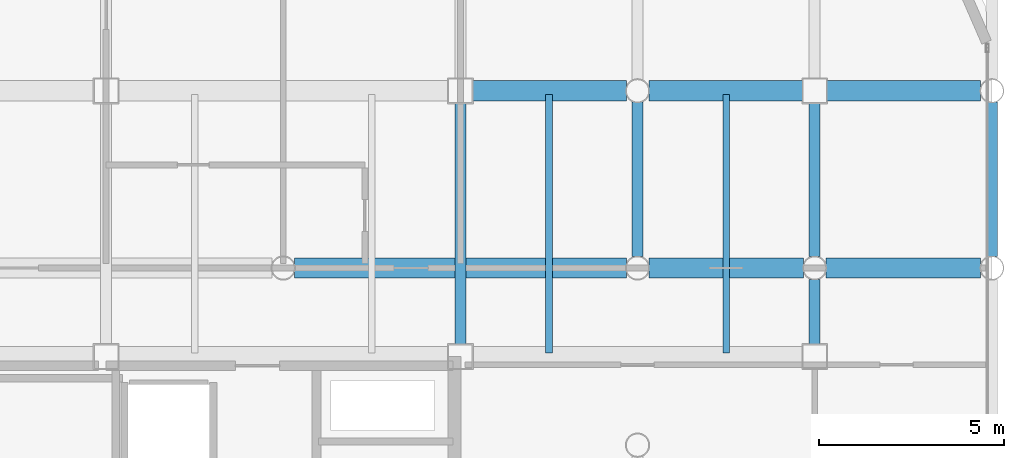
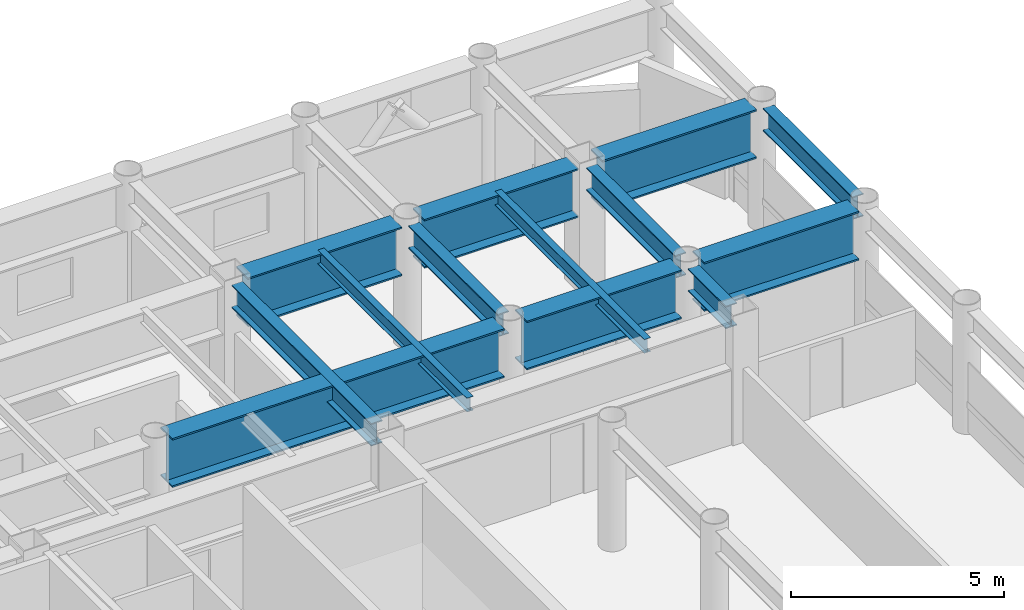
# One storey, part 14 of 22: 13 beams.
"""IFC4 building model written with IfcOpenShell, lengths in metres."""

import ifcopenshell
import ifcopenshell.guid

model = None  # the IFC model being written
_history = None  # IfcOwnerHistory: only IFC2X3 demands one
_inside = {}  # id of a spatial element -> (the spatial element, [elements in it])
_under = {}  # id of a project, library or spatial element -> (it, [spatial elements below it])
_declared = {}  # id of a project -> (the project, [libraries it declares])
_typed = {}  # id of a type object -> (the type object, [elements of that type])
_made_of = {}  # id of a material, layer set ... -> (it, [elements and type objects made of it])


def new_model(schema):
    """Start an empty IFC model of exactly this schema.

    Asked for "IFC4X3", IfcOpenShell would pick the latest addendum, in which some entities
    have other attributes; the version numbers below select the first issue.
    IFC2X3 requires an IfcOwnerHistory on every rooted entity: one is made here for all.
    """
    global model, _history
    if schema == "IFC4X3":
        model = ifcopenshell.file(schema_version=(4, 3, 0, 0))
    else:
        model = ifcopenshell.file(schema=schema)
    _inside.clear()
    _under.clear()
    _declared.clear()
    _typed.clear()
    _made_of.clear()
    _history = None
    if model.schema == "IFC2X3":
        org = make("IfcOrganization", Name="unknown")
        user = make(
            "IfcPersonAndOrganization",
            ThePerson=make("IfcPerson", FamilyName="unknown"),
            TheOrganization=org,
        )
        app = make(
            "IfcApplication",
            ApplicationDeveloper=org,
            Version="unknown",
            ApplicationFullName="unknown",
            ApplicationIdentifier="unknown",
        )
        _history = make(
            "IfcOwnerHistory",
            OwningUser=user,
            OwningApplication=app,
            ChangeAction="ADDED",
            CreationDate=0,
        )
    return model


def make(cls, **values):
    """One entity of the class cls with the attributes given. An attribute that is None is left unset."""
    return model.create_entity(
        cls, **{name: value for name, value in values.items() if value is not None}
    )


def rooted(cls, **values):
    """An entity with a GlobalId (a new one), such as an element, a storey or a relation."""
    return make(cls, GlobalId=ifcopenshell.guid.new(), OwnerHistory=_history, **values)


def si_unit(unit_type, name, prefix=None):
    """IfcSIUnit, for example si_unit("LENGTHUNIT", "METRE", prefix="MILLI")."""
    return make("IfcSIUnit", UnitType=unit_type, Prefix=prefix, Name=name)


def assignment(units):
    """IfcUnitAssignment: the units of a project."""
    return None if units is None else make("IfcUnitAssignment", Units=units)


def point(xyz):
    """IfcCartesianPoint."""
    return None if xyz is None else make("IfcCartesianPoint", Coordinates=xyz)


def direction(xyz):
    """IfcDirection."""
    return None if xyz is None else make("IfcDirection", DirectionRatios=xyz)


def frame(location, z_axis=None, x_axis=None):
    """IfcAxis2Placement3D, a coordinate frame: its origin and axes. An axis left out is left unset."""
    return make(
        "IfcAxis2Placement3D",
        Location=point(location),
        Axis=direction(z_axis),
        RefDirection=direction(x_axis),
    )


def frame_2d(location, x_axis=None):
    """IfcAxis2Placement2D, a coordinate frame in the plane: its origin and x axis."""
    return make(
        "IfcAxis2Placement2D", Location=point(location), RefDirection=direction(x_axis)
    )


def origin():
    """The frame at (0, 0, 0) with its axes left unset."""
    return frame((0.0, 0.0, 0.0))


def origin_2d():
    """The frame at (0, 0) in the plane with its x axis left unset."""
    return frame_2d((0.0, 0.0))


def place(relative_to, where):
    """IfcLocalPlacement: puts the frame where relative to a parent placement (None: the world)."""
    return make(
        "IfcLocalPlacement", PlacementRelTo=relative_to, RelativePlacement=where
    )


def context(
    kind, dimensions, precision=None, world=None, true_north=None, identifier=None
):
    """IfcGeometricRepresentationContext, for example the 3D "Model" context."""
    return make(
        "IfcGeometricRepresentationContext",
        ContextIdentifier=identifier,
        ContextType=kind,
        CoordinateSpaceDimension=dimensions,
        Precision=precision,
        WorldCoordinateSystem=world,
        TrueNorth=true_north,
    )


def subcontext(parent, identifier, kind, view, scale=None):
    """IfcGeometricRepresentationSubContext, for example "Body" below "Model"."""
    return make(
        "IfcGeometricRepresentationSubContext",
        ContextIdentifier=identifier,
        ContextType=kind,
        ParentContext=parent,
        TargetScale=scale,
        TargetView=view,
    )


def project(units=None, contexts=None):
    """IfcProject with its units and contexts."""
    return rooted(
        "IfcProject",
        Name="project",
        RepresentationContexts=contexts,
        UnitsInContext=assignment(units),
    )


def spatial(cls, under=None, at=None, **own):
    """A site, building, storey or space (cls), placed at a placement, below another one or the project."""
    s = rooted(cls, ObjectPlacement=at, **own)
    if under is not None:
        _under.setdefault(under.id(), (under, []))[1].append(s)
    return s


def profile(cls, at=None, kind="AREA", **sizes):
    """A parametric profile (cls). Its sizes go by their IFC names, for example OverallWidth=200.0."""
    return make(cls, ProfileType=kind, Position=at, **sizes)


def i_section(**sizes):
    """IfcIShapeProfileDef."""
    return profile("IfcIShapeProfileDef", **sizes)


def extrude(swept, where, along, depth):
    """IfcExtrudedAreaSolid: the profile swept, set in the frame where, extruded along a direction by depth."""
    return make(
        "IfcExtrudedAreaSolid",
        SweptArea=swept,
        Position=where,
        ExtrudedDirection=direction(along),
        Depth=depth,
    )


def shape(context_of_items, identifier, shape_type, items):
    """IfcShapeRepresentation: the items that make up one representation, for example the "Body"."""
    return make(
        "IfcShapeRepresentation",
        ContextOfItems=context_of_items,
        RepresentationIdentifier=identifier,
        RepresentationType=shape_type,
        Items=items,
    )


def material(Name=None, Category=None):
    """IfcMaterial."""
    return make("IfcMaterial", Name=Name, Category=Category)


def material_profile(
    of_material, cross_section, Name=None, Category=None, Priority=None
):
    """IfcMaterialProfile: a cross section and its material."""
    return make(
        "IfcMaterialProfile",
        Name=Name,
        Material=of_material,
        Profile=cross_section,
        Priority=Priority,
        Category=Category,
    )


def profile_set(profiles, Name=None, composite=None):
    """IfcMaterialProfileSet."""
    return make(
        "IfcMaterialProfileSet",
        Name=Name,
        MaterialProfiles=profiles,
        CompositeProfile=composite,
    )


def made_of(thing, what):
    """Note that an element or type object is made of a material, layer set ...; save() writes the relation."""
    if what is not None:
        _made_of.setdefault(what.id(), (what, []))[1].append(thing)
    return thing


def type_object(cls, material=None, **own):
    """A type object (cls), such as IfcWallType, which elements share."""
    return made_of(rooted(cls, **own), material)


def element(
    cls,
    number,
    at=None,
    inside=None,
    cuts=None,
    type_object=None,
    material=None,
    context=None,
    identifier="Body",
    shape_type=None,
    held_by="IfcProductDefinitionShape",
    body=None,
    shapes=None,
    **own,
):
    """One element of the class cls, such as IfcWall. Its Tag is "e" and its number.

    at: its placement. inside: the storey or other place that contains it. cuts: it is an
    opening in that element (IfcRelVoidsElement). A single representation is given by context,
    identifier, shape_type and body (its items); several are given by shapes. held_by: the class
    of the entity that holds the representations. save() writes the other relations.
    """
    e = rooted(cls, Tag="e%d" % number, ObjectPlacement=at, **own)
    if body is not None:
        shapes = [shape(context, identifier, shape_type, body)]
    if shapes is not None:
        e.Representation = make(held_by, Representations=shapes)
    if inside is not None:
        _inside.setdefault(inside.id(), (inside, []))[1].append(e)
    if cuts is not None:
        rooted(
            "IfcRelVoidsElement", RelatingBuildingElement=cuts, RelatedOpeningElement=e
        )
    if type_object is not None:
        _typed.setdefault(type_object.id(), (type_object, []))[1].append(e)
    return made_of(e, material)


def aggregate(whole, parts):
    """IfcRelAggregates: a whole, such as a stair, and the parts it consists of."""
    return rooted("IfcRelAggregates", RelatingObject=whole, RelatedObjects=parts)


def save(model, path):
    """Write the relations noted so far, then the file.

    IfcRelAggregates (storeys below a building ...), IfcRelContainedInSpatialStructure (elements
    in a storey), IfcRelDefinesByType, IfcRelAssociatesMaterial and IfcRelDeclares: one each for
    every whole, place, type object, material and project.
    """
    for whole, parts in _under.values():
        aggregate(whole, parts)
    for where, things in _inside.values():
        rooted(
            "IfcRelContainedInSpatialStructure",
            RelatedElements=things,
            RelatingStructure=where,
        )
    for kind, things in _typed.values():
        rooted("IfcRelDefinesByType", RelatedObjects=things, RelatingType=kind)
    for what, things in _made_of.values():
        rooted("IfcRelAssociatesMaterial", RelatedObjects=things, RelatingMaterial=what)
    for by, libraries in _declared.values():
        rooted("IfcRelDeclares", RelatingContext=by, RelatedDefinitions=libraries)
    model.write(path)


model = new_model("IFC4")

# Units and contexts
model_context = context("Model", 3, precision=1e-05, world=origin(), true_north=direction((0.0, 1.0)))
body_context = subcontext(model_context, "Body", "Model", "MODEL_VIEW")
ifc_project = project(units=[si_unit("LENGTHUNIT", "METRE"), si_unit("AREAUNIT", "SQUARE_METRE"), si_unit("VOLUMEUNIT", "CUBIC_METRE"), si_unit("PLANEANGLEUNIT", "RADIAN"), si_unit("MASSUNIT", "GRAM", prefix="KILO")], contexts=[model_context])

# Site, building, storey
site_placement = place(None, origin())
site = spatial("IfcSite", under=ifc_project, at=site_placement, CompositionType="ELEMENT")
building_placement = place(site_placement, origin())
building = spatial("IfcBuilding", under=site, at=building_placement, Name="Kallvorn Hotel Tower", CompositionType="ELEMENT")
storey_placement = place(building_placement, frame((0.0, 0.0, 154.39990234375)))
storey = spatial("IfcBuildingStorey", under=building, at=storey_placement, Name="L38", CompositionType="ELEMENT", Elevation=154.39990234375)

# Beams
ifc_material_1 = material(Name="Structural steel S355JR", Category="steel")
ifc_material_profile_1 = material_profile(ifc_material_1, i_section(OverallWidth=0.300048828125, OverallDepth=0.64990234375, WebThickness=0.01611328125, FlangeThickness=0.031005859375, at=origin_2d()), Name="HE 650 B")
ifc_profile_set_1 = profile_set([ifc_material_profile_1], Name="Structural steel S355JR")
beam_type_1 = type_object("IfcBeamType", Name="BM_HE650B", PredefinedType="BEAM", material=ifc_profile_set_1)
beam_1_placement = place(storey_placement, frame((14.39990234375, 7.52490234375, 3.195068359375), z_axis=(0.0, 1.0, 0.0), x_axis=(-1.0, 0.0, 0.0)))
element("IfcBeam", 1, at=beam_1_placement, inside=storey, type_object=beam_type_1, Name="L39 Primary Y-Girder 125", PredefinedType="BEAM", context=body_context, shape_type="SweptSolid", body=[
    extrude(i_section(OverallWidth=0.300048828125, OverallDepth=0.64990234375, WebThickness=0.01611328125, FlangeThickness=0.031005859375, at=origin_2d()), origin(), (0.0, 0.0, 1.0), 6.550048828125),
])
beam_2_placement = place(storey_placement, frame((19.199951171875, 9.905029296875, 3.195068359375), z_axis=(0.0, 1.0, 0.0), x_axis=(-1.0, 0.0, 0.0)))
element("IfcBeam", 2, at=beam_2_placement, inside=storey, type_object=beam_type_1, Name="L39 Primary Y-Girder 134", PredefinedType="BEAM", context=body_context, shape_type="SweptSolid", body=[
    extrude(i_section(OverallWidth=0.300048828125, OverallDepth=0.64990234375, WebThickness=0.01611328125, FlangeThickness=0.031005859375, at=origin_2d()), origin(), (0.0, 0.0, 1.0), 4.18994140625),
])
beam_3_placement = place(storey_placement, frame((24.0, 7.52490234375, 3.195068359375), z_axis=(0.0, 1.0, 0.0), x_axis=(-1.0, 0.0, 0.0)))
element("IfcBeam", 3, at=beam_3_placement, inside=storey, type_object=beam_type_1, Name="L39 Primary Y-Girder 140", PredefinedType="BEAM", context=body_context, shape_type="SweptSolid", body=[
    extrude(i_section(OverallWidth=0.300048828125, OverallDepth=0.64990234375, WebThickness=0.01611328125, FlangeThickness=0.031005859375, at=origin_2d()), origin(), (0.0, 0.0, 1.0), 1.77001953125),
])
beam_4_placement = place(storey_placement, frame((24.0, 9.905029296875, 3.195068359375), z_axis=(0.0, 1.0, 0.0), x_axis=(-1.0, 0.0, 0.0)))
element("IfcBeam", 4, at=beam_4_placement, inside=storey, type_object=beam_type_1, Name="L39 Primary Y-Girder 141", PredefinedType="BEAM", context=body_context, shape_type="SweptSolid", body=[
    extrude(i_section(OverallWidth=0.300048828125, OverallDepth=0.64990234375, WebThickness=0.01611328125, FlangeThickness=0.031005859375, at=origin_2d()), origin(), (0.0, 0.0, 1.0), 4.169921875),
])
beam_5_placement = place(storey_placement, frame((28.800048828125, 9.905029296875, 3.195068359375), z_axis=(0.0, 1.0, 0.0), x_axis=(-1.0, 0.0, 0.0)))
element("IfcBeam", 5, at=beam_5_placement, inside=storey, type_object=beam_type_1, Name="L39 Primary Y-Girder 149", PredefinedType="BEAM", context=body_context, shape_type="SweptSolid", body=[
    extrude(i_section(OverallWidth=0.300048828125, OverallDepth=0.64990234375, WebThickness=0.01611328125, FlangeThickness=0.031005859375, at=origin_2d()), origin(), (0.0, 0.0, 1.0), 4.18994140625),
])
ifc_material_2 = material(Name="Structural steel S355JR", Category="steel")
ifc_material_profile_2 = material_profile(ifc_material_2, i_section(OverallWidth=0.179931640625, OverallDepth=0.39990234375, WebThickness=0.008544921875, FlangeThickness=0.013427734375, at=origin_2d()), Name="IPE 400")
ifc_profile_set_2 = profile_set([ifc_material_profile_2], Name="Structural steel S355JR")
beam_type_2 = type_object("IfcBeamType", Name="BM_IPE400", PredefinedType="JOIST", material=ifc_profile_set_2)
for number, where, z_axis, x_axis, name in (
    (6, (16.800048828125, 7.300048828125, 3.320068359375), (0.0, 1.0, 0.0), (-1.0, 0.0, 0.0), "L39 Secondary Composite Joist 207"),
    (7, (21.60009765625, 7.300048828125, 3.320068359375), (0.0, 1.0, 0.0), (-1.0, 0.0, 0.0), "L39 Secondary Composite Joist 209"),
):
    element("IfcBeam", number, at=place(storey_placement, frame(where, z_axis=z_axis, x_axis=x_axis)), inside=storey, type_object=beam_type_2, Name=name, PredefinedType="JOIST", context=body_context, shape_type="SweptSolid", body=[
        extrude(i_section(OverallWidth=0.179931640625, OverallDepth=0.39990234375, WebThickness=0.008544921875, FlangeThickness=0.013427734375, at=origin_2d()), origin(), (0.0, 0.0, 1.0), 7.0),
    ])
ifc_material_3 = material(Name="Structural steel S355JR", Category="steel")
ifc_material_profile_3 = material_profile(ifc_material_3, i_section(OverallWidth=0.550048828125, OverallDepth=1.39990234375, WebThickness=0.02490234375, FlangeThickness=0.044921875, at=origin_2d()), Name="PG 1400x550x25x45")
ifc_profile_set_3 = profile_set([ifc_material_profile_3], Name="Structural steel S355JR")
beam_type_3 = type_object("IfcBeamType", Name="BM_PG_1400", PredefinedType="BEAM", material=ifc_profile_set_3)
beam_6_placement = place(storey_placement, frame((9.905029296875, 9.60009765625, 2.820068359375), z_axis=(1.0, 0.0, 0.0), x_axis=(0.0, 1.0, 0.0)))
element("IfcBeam", 8, at=beam_6_placement, inside=storey, type_object=beam_type_3, Name="L39 Primary X-Girder 48", PredefinedType="BEAM", context=body_context, shape_type="SweptSolid", body=[
    extrude(i_section(OverallWidth=0.550048828125, OverallDepth=1.39990234375, WebThickness=0.02490234375, FlangeThickness=0.044921875, at=origin_2d()), origin(), (0.0, 0.0, 1.0), 8.989990234375),
])
for number, where, z_axis, x_axis, name in (
    (9, (19.5048828125, 9.60009765625, 2.820068359375), (1.0, 0.0, 0.0), (0.0, 1.0, 0.0), "L39 Primary X-Girder 49"),
    (10, (24.304931640625, 9.60009765625, 2.820068359375), (1.0, 0.0, 0.0), (0.0, 1.0, 0.0), "L39 Primary X-Girder 50"),
):
    element("IfcBeam", number, at=place(storey_placement, frame(where, z_axis=z_axis, x_axis=x_axis)), inside=storey, type_object=beam_type_3, Name=name, PredefinedType="BEAM", context=body_context, shape_type="SweptSolid", body=[
        extrude(i_section(OverallWidth=0.550048828125, OverallDepth=1.39990234375, WebThickness=0.02490234375, FlangeThickness=0.044921875, at=origin_2d()), origin(), (0.0, 0.0, 1.0), 4.190185546875),
    ])
beam_7_placement = place(storey_placement, frame((14.72509765625, 14.39990234375, 2.820068359375), z_axis=(1.0, 0.0, 0.0), x_axis=(0.0, 1.0, 0.0)))
element("IfcBeam", 11, at=beam_7_placement, inside=storey, type_object=beam_type_3, Name="L39 Primary X-Girder 58", PredefinedType="BEAM", context=body_context, shape_type="SweptSolid", body=[
    extrude(i_section(OverallWidth=0.550048828125, OverallDepth=1.39990234375, WebThickness=0.02490234375, FlangeThickness=0.044921875, at=origin_2d()), origin(), (0.0, 0.0, 1.0), 4.169921875),
])
for number, where, z_axis, x_axis, name in (
    (12, (19.5048828125, 14.39990234375, 2.820068359375), (1.0, 0.0, 0.0), (0.0, 1.0, 0.0), "L39 Primary X-Girder 59"),
    (13, (24.324951171875, 14.39990234375, 2.820068359375), (1.0, 0.0, 0.0), (0.0, 1.0, 0.0), "L39 Primary X-Girder 60"),
):
    element("IfcBeam", number, at=place(storey_placement, frame(where, z_axis=z_axis, x_axis=x_axis)), inside=storey, type_object=beam_type_3, Name=name, PredefinedType="BEAM", context=body_context, shape_type="SweptSolid", body=[
        extrude(i_section(OverallWidth=0.550048828125, OverallDepth=1.39990234375, WebThickness=0.02490234375, FlangeThickness=0.044921875, at=origin_2d()), origin(), (0.0, 0.0, 1.0), 4.170166015625),
    ])

save(model, "model.ifc")
